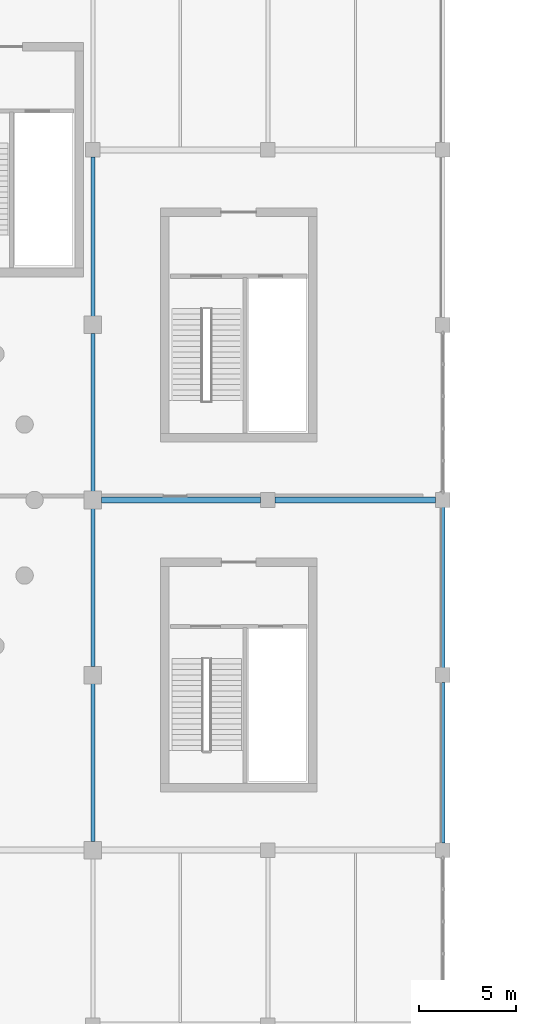
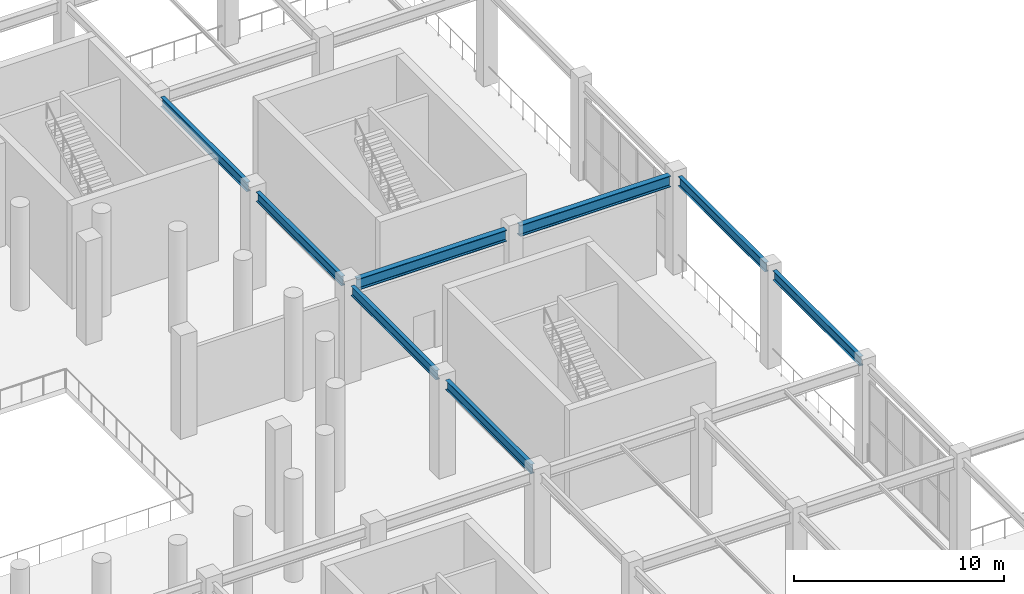
# One storey, part 79 of 223: 8 beams.
"""IFC4 building model written with IfcOpenShell, lengths in metres."""

from ifc_helpers import new_model, si_unit, direction, frame, origin, origin_2d, place, context, subcontext, project, spatial, i_section, extrude, material, material_profile, profile_set, type_object, element, save


model = new_model("IFC4")

# Units and contexts
model_context = context("Model", 3, precision=1e-05, world=origin(), true_north=direction((0.0, 1.0)))
body_context = subcontext(model_context, "Body", "Model", "MODEL_VIEW")
ifc_project = project(units=[si_unit("LENGTHUNIT", "METRE"), si_unit("AREAUNIT", "SQUARE_METRE"), si_unit("VOLUMEUNIT", "CUBIC_METRE"), si_unit("PLANEANGLEUNIT", "RADIAN"), si_unit("MASSUNIT", "GRAM", prefix="KILO")], contexts=[model_context])

# Site, building, storey
site_placement = place(None, origin())
site = spatial("IfcSite", under=ifc_project, at=site_placement, CompositionType="ELEMENT")
building_placement = place(site_placement, origin())
building = spatial("IfcBuilding", under=site, at=building_placement, Name="Dornveld Trade and Exhibition Forum", CompositionType="ELEMENT")
storey_placement = place(building_placement, frame((0.0, 0.0, 6.0)))
storey = spatial("IfcBuildingStorey", under=building, at=storey_placement, Name="L01", CompositionType="ELEMENT", Elevation=6.0)

# Beams
ifc_material_1 = material(Name="Steel S355J2", Category="steel")
ifc_material_profile_1 = material_profile(ifc_material_1, i_section(OverallWidth=0.300048828125, OverallDepth=0.64990234375, WebThickness=0.01611328125, FlangeThickness=0.031005859375, FilletRadius=0.027099609375, at=origin_2d()), Name="HEB 650")
ifc_profile_set_1 = profile_set([ifc_material_profile_1], Name="Steel S355J2")
beam_type_1 = type_object("IfcBeamType", Name="BM-GIR-HEB650", PredefinedType="USERDEFINED", material=ifc_profile_set_1)
beam_1_placement = place(storey_placement, frame((135.446044921875, 81.0, 5.31494140625), z_axis=(1.0, 0.0, 0.0), x_axis=(0.0, 1.0, 0.0)))
element("IfcBeam", 1, at=beam_1_placement, inside=storey, type_object=beam_type_1, Name="L01 X-girder 1181", ObjectType="GIRDER", PredefinedType="USERDEFINED", context=body_context, shape_type="SweptSolid", body=[
    extrude(i_section(OverallWidth=0.300048828125, OverallDepth=0.64990234375, WebThickness=0.01611328125, FlangeThickness=0.031005859375, FilletRadius=0.027099609375, at=origin_2d()), origin(), (0.0, 0.0, 1.0), 8.182861328125),
])
beam_2_placement = place(storey_placement, frame((144.37109375, 81.0, 5.31494140625), z_axis=(1.0, 0.0, 0.0), x_axis=(0.0, 1.0, 0.0)))
element("IfcBeam", 2, at=beam_2_placement, inside=storey, type_object=beam_type_1, Name="L01 X-girder 1182", ObjectType="GIRDER", PredefinedType="USERDEFINED", context=body_context, shape_type="SweptSolid", body=[
    extrude(i_section(OverallWidth=0.300048828125, OverallDepth=0.64990234375, WebThickness=0.01611328125, FlangeThickness=0.031005859375, FilletRadius=0.027099609375, at=origin_2d()), origin(), (0.0, 0.0, 1.0), 8.2578125),
])
ifc_material_2 = material(Name="Steel S355J2", Category="steel")
ifc_material_profile_2 = material_profile(ifc_material_2, i_section(OverallWidth=0.2099609375, OverallDepth=0.550048828125, WebThickness=0.010986328125, FlangeThickness=0.01708984375, FilletRadius=0.02392578125, at=origin_2d()), Name="IPE 550")
ifc_profile_set_2 = profile_set([ifc_material_profile_2], Name="Steel S355J2")
beam_type_2 = type_object("IfcBeamType", Name="BM-SEC-550", PredefinedType="BEAM", material=ifc_profile_set_2)
for number, where, z_axis, x_axis, name in (
    (3, (135.0, 63.446044921875, 5.364990234375), (0.0, 1.0, 0.0), (-1.0, 0.0, 0.0), "L01 Y-girder 1233"),
    (4, (135.0, 72.446044921875, 5.364990234375), (0.0, 1.0, 0.0), (-1.0, 0.0, 0.0), "L01 Y-girder 1234"),
    (5, (135.0, 81.446044921875, 5.364990234375), (0.0, 1.0, 0.0), (-1.0, 0.0, 0.0), "L01 Y-girder 1235"),
):
    element("IfcBeam", number, at=place(storey_placement, frame(where, z_axis=z_axis, x_axis=x_axis)), inside=storey, type_object=beam_type_2, Name=name, PredefinedType="BEAM", context=body_context, shape_type="SweptSolid", body=[
        extrude(i_section(OverallWidth=0.2099609375, OverallDepth=0.550048828125, WebThickness=0.010986328125, FlangeThickness=0.01708984375, FilletRadius=0.02392578125, at=origin_2d()), origin(), (0.0, 0.0, 1.0), 8.10791015625),
    ])
beam_3_placement = place(storey_placement, frame((135.0, 90.446044921875, 5.364990234375), z_axis=(0.0, 1.0, 0.0), x_axis=(-1.0, 0.0, 0.0)))
element("IfcBeam", 6, at=beam_3_placement, inside=storey, type_object=beam_type_2, Name="L01 Y-girder 1236", PredefinedType="BEAM", context=body_context, shape_type="SweptSolid", body=[
    extrude(i_section(OverallWidth=0.2099609375, OverallDepth=0.550048828125, WebThickness=0.010986328125, FlangeThickness=0.01708984375, FilletRadius=0.02392578125, at=origin_2d()), origin(), (0.0, 0.0, 1.0), 8.182861328125),
])
for number, where, z_axis, x_axis, name in (
    (7, (153.0, 63.37109375, 5.364990234375), (0.0, 1.0, 0.0), (-1.0, 0.0, 0.0), "L01 Y-girder 1245"),
    (8, (153.0, 72.37109375, 5.364990234375), (0.0, 1.0, 0.0), (-1.0, 0.0, 0.0), "L01 Y-girder 1246"),
):
    element("IfcBeam", number, at=place(storey_placement, frame(where, z_axis=z_axis, x_axis=x_axis)), inside=storey, type_object=beam_type_2, Name=name, PredefinedType="BEAM", context=body_context, shape_type="SweptSolid", body=[
        extrude(i_section(OverallWidth=0.2099609375, OverallDepth=0.550048828125, WebThickness=0.010986328125, FlangeThickness=0.01708984375, FilletRadius=0.02392578125, at=origin_2d()), origin(), (0.0, 0.0, 1.0), 8.2578125),
    ])

save(model, "model.ifc")
